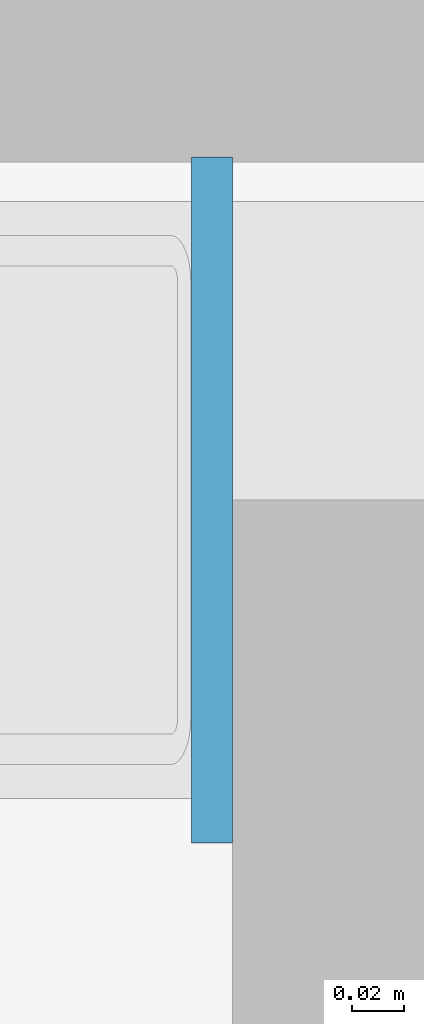
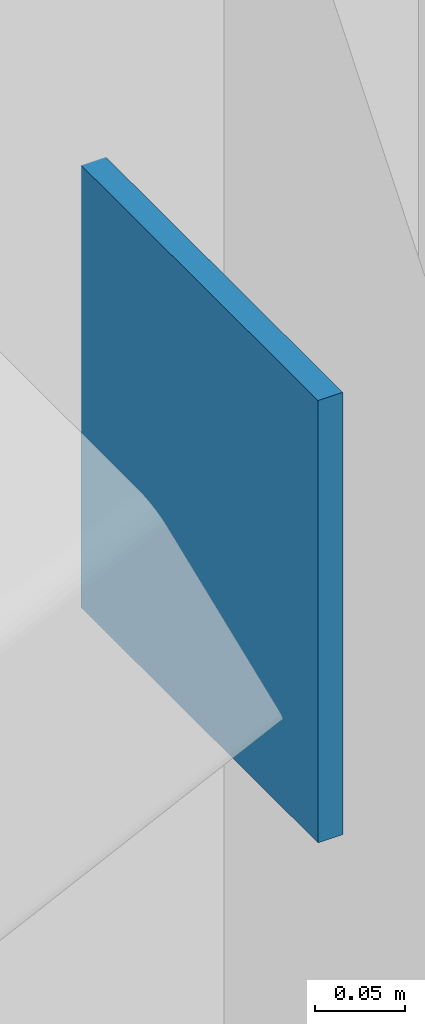
# One storey, part 68 of 127: 1 plate.
"""IFC4 building model written with IfcOpenShell, lengths in metres."""

from ifc_helpers import new_model, si_unit, direction, frame, origin, origin_2d, place, context, subcontext, project, spatial, rectangle, extrude, material, layer, layer_set, type_object, element, save


model = new_model("IFC4")

# Units and contexts
model_context = context("Model", 3, precision=1e-05, world=origin(), true_north=direction((0.0, 1.0)))
body_context = subcontext(model_context, "Body", "Model", "MODEL_VIEW")
ifc_project = project(units=[si_unit("LENGTHUNIT", "METRE"), si_unit("AREAUNIT", "SQUARE_METRE"), si_unit("VOLUMEUNIT", "CUBIC_METRE"), si_unit("PLANEANGLEUNIT", "RADIAN"), si_unit("MASSUNIT", "GRAM", prefix="KILO")], contexts=[model_context])

# Site, building, storey
site_placement = place(None, origin())
site = spatial("IfcSite", under=ifc_project, at=site_placement, CompositionType="ELEMENT")
building_placement = place(site_placement, origin())
building = spatial("IfcBuilding", under=site, at=building_placement, Name="Ljudholm Concert House", CompositionType="ELEMENT")
storey_placement = place(building_placement, frame((0.0, 0.0, 5.39990234375)))
storey = spatial("IfcBuildingStorey", under=building, at=storey_placement, Name="L01", CompositionType="ELEMENT", Elevation=5.39990234375)

# Plate
ifc_material = material(Name="Steel ASTM A36", Category="steel")
ifc_layer = layer(ifc_material, 0.015869140625)
ifc_layer_set = layer_set([ifc_layer], Name="Steel ASTM A36")
plate_type = type_object("IfcPlateType", Name="EMBED PLATE 16x263x300", PredefinedType="SHEET", material=ifc_layer_set)
plate_placement = place(storey_placement, frame((118.192138671875, 96.39990234375, 2.51416015625), z_axis=(0.0, 0.0, 1.0), x_axis=(1.0, 0.0, 0.0)))
element("IfcPlate", 1, at=plate_placement, inside=storey, type_object=plate_type, Name="Brace embed plate", PredefinedType="SHEET", context=body_context, shape_type="SweptSolid", body=[
    extrude(rectangle(XDim=0.015869140625, YDim=0.26318359375, at=origin_2d()), origin(), (0.0, 0.0, 1.0), 0.300048828125),
])

save(model, "model.ifc")
